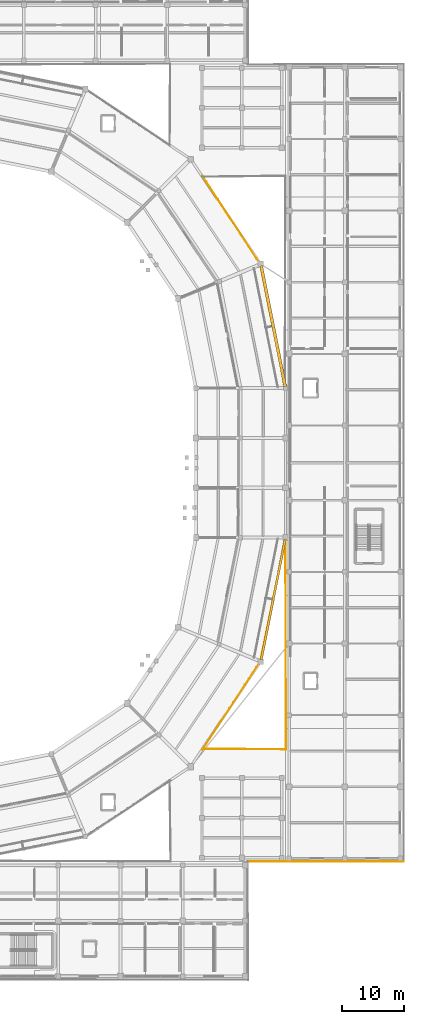
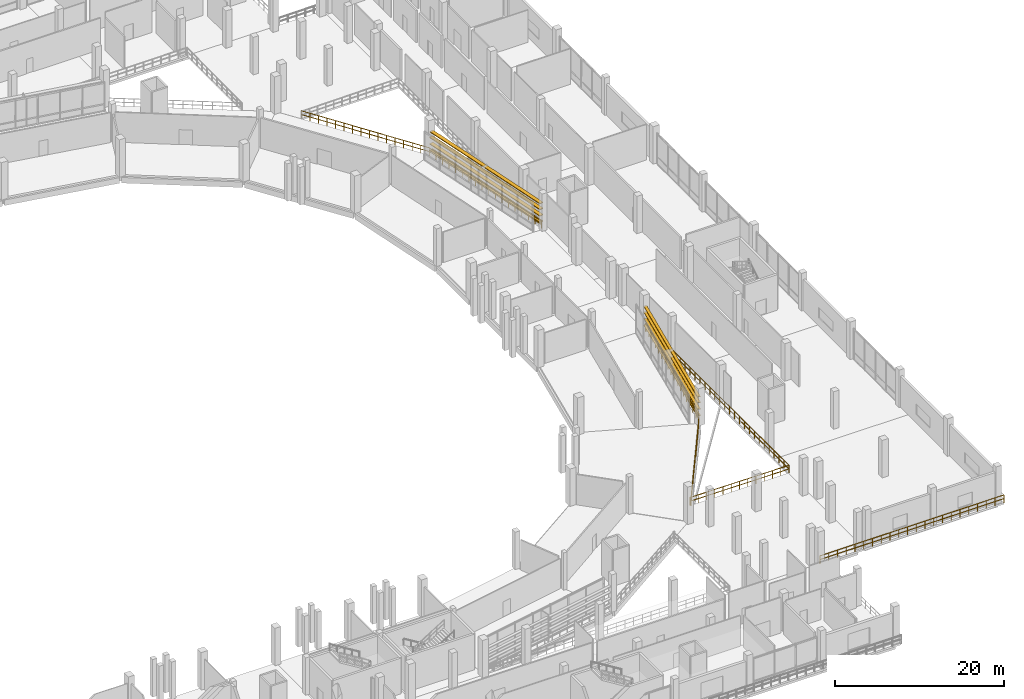
# One storey, part 105 of 114: 8 shading devices, 7 railings.
"""IFC4 building model written with IfcOpenShell, lengths in metres."""

from ifc_helpers import new_model, si_unit, direction, frame, origin, origin_2d, place, context, subcontext, project, spatial, rectangle, circle, extrude, material, layer, layer_set, type_object, element, save


model = new_model("IFC4")

# Units and contexts
model_context = context("Model", 3, precision=1e-05, world=origin(), true_north=direction((0.0, 1.0)))
body_context = subcontext(model_context, "Body", "Model", "MODEL_VIEW")
ifc_project = project(units=[si_unit("LENGTHUNIT", "METRE"), si_unit("AREAUNIT", "SQUARE_METRE"), si_unit("VOLUMEUNIT", "CUBIC_METRE"), si_unit("PLANEANGLEUNIT", "RADIAN"), si_unit("MASSUNIT", "GRAM", prefix="KILO")], contexts=[model_context])

# Site, building, storey
site_placement = place(None, origin())
site = spatial("IfcSite", under=ifc_project, at=site_placement, CompositionType="ELEMENT")
building_placement = place(site_placement, origin())
building = spatial("IfcBuilding", under=site, at=building_placement, Name="Candeia Ridge Stadium", CompositionType="ELEMENT")
storey_placement = place(building_placement, frame((0.0, 0.0, 5.39990234375)))
storey = spatial("IfcBuildingStorey", under=building, at=storey_placement, Name="L01", CompositionType="ELEMENT", Elevation=5.39990234375)

# Railings
ifc_material_1 = material(Name="Galvanized Powder-Coated Steel", Category="steel")
ifc_layer = layer(ifc_material_1, 0.074951171875, Name="Galvanized Powder-Coated Steel", Category="steel")
ifc_layer_set = layer_set([ifc_layer], Name="Galvanized Powder-Coated Steel")
railing_type = type_object("IfcRailingType", Name="Spectator Bowl Front Guardrail 1120", PredefinedType="GUARDRAIL", material=ifc_layer_set)
railing_1_placement = place(storey_placement, frame((212.0, 19.0, 0.0)))
element("IfcRailing", 1, at=railing_1_placement, inside=storey, type_object=railing_type, Name="Deck edge safety guardrail GR-DE-L01-0012", PredefinedType="GUARDRAIL", context=body_context, shape_type="SweptSolid", body=[
    extrude(circle(Radius=0.02392578125, at=origin_2d()), frame((0.0, 0.0, 1.09619140625), z_axis=(-1.0, 0.0, 0.0), x_axis=(0.0, -1.0, 0.0)), (0.0, 0.0, 1.0), 25.080078125),
    extrude(circle(Radius=0.02392578125, at=origin_2d()), frame((0.0, 0.0, 0.56005859375), z_axis=(-1.0, 0.0, 0.0), x_axis=(0.0, -1.0, 0.0)), (0.0, 0.0, 1.0), 25.080078125),
    extrude(circle(Radius=0.02099609375, at=origin_2d()), origin(), (0.0, 0.0, 1.0), 1.072021484375),
    extrude(circle(Radius=0.02099609375, at=origin_2d()), frame((-1.1943359375, 0.0, 0.0)), (0.0, 0.0, 1.0), 1.072021484375),
    extrude(circle(Radius=0.02099609375, at=origin_2d()), frame((-2.388671875, 0.0, 0.0)), (0.0, 0.0, 1.0), 1.072021484375),
    extrude(circle(Radius=0.02099609375, at=origin_2d()), frame((-3.582763671875, 0.0, 0.0)), (0.0, 0.0, 1.0), 1.072021484375),
    extrude(circle(Radius=0.02099609375, at=origin_2d()), frame((-4.777099609375, 0.0, 0.0)), (0.0, 0.0, 1.0), 1.072021484375),
    extrude(circle(Radius=0.02099609375, at=origin_2d()), frame((-5.971435546875, 0.0, 0.0)), (0.0, 0.0, 1.0), 1.072021484375),
    extrude(circle(Radius=0.02099609375, at=origin_2d()), frame((-7.165771484375, 0.0, 0.0)), (0.0, 0.0, 1.0), 1.072021484375),
    extrude(circle(Radius=0.02099609375, at=origin_2d()), frame((-8.360107421875, 0.0, 0.0)), (0.0, 0.0, 1.0), 1.072021484375),
    extrude(circle(Radius=0.02099609375, at=origin_2d()), frame((-9.55419921875, 0.0, 0.0)), (0.0, 0.0, 1.0), 1.072021484375),
    extrude(circle(Radius=0.02099609375, at=origin_2d()), frame((-10.74853515625, 0.0, 0.0)), (0.0, 0.0, 1.0), 1.072021484375),
    extrude(circle(Radius=0.02099609375, at=origin_2d()), frame((-11.94287109375, 0.0, 0.0)), (0.0, 0.0, 1.0), 1.072021484375),
    extrude(circle(Radius=0.02099609375, at=origin_2d()), frame((-13.13720703125, 0.0, 0.0)), (0.0, 0.0, 1.0), 1.072021484375),
    extrude(circle(Radius=0.02099609375, at=origin_2d()), frame((-14.33154296875, 0.0, 0.0)), (0.0, 0.0, 1.0), 1.072021484375),
    extrude(circle(Radius=0.02099609375, at=origin_2d()), frame((-15.52587890625, 0.0, 0.0)), (0.0, 0.0, 1.0), 1.072021484375),
    extrude(circle(Radius=0.02099609375, at=origin_2d()), frame((-16.719970703125, 0.0, 0.0)), (0.0, 0.0, 1.0), 1.072021484375),
    extrude(circle(Radius=0.02099609375, at=origin_2d()), frame((-17.914306640625, 0.0, 0.0)), (0.0, 0.0, 1.0), 1.072021484375),
    extrude(circle(Radius=0.02099609375, at=origin_2d()), frame((-19.108642578125, 0.0, 0.0)), (0.0, 0.0, 1.0), 1.072021484375),
    extrude(circle(Radius=0.02099609375, at=origin_2d()), frame((-20.302978515625, 0.0, 0.0)), (0.0, 0.0, 1.0), 1.072021484375),
    extrude(circle(Radius=0.02099609375, at=origin_2d()), frame((-21.497314453125, 0.0, 0.0)), (0.0, 0.0, 1.0), 1.072021484375),
    extrude(circle(Radius=0.02099609375, at=origin_2d()), frame((-22.69140625, 0.0, 0.0)), (0.0, 0.0, 1.0), 1.072021484375),
    extrude(circle(Radius=0.02099609375, at=origin_2d()), frame((-23.8857421875, 0.0, 0.0)), (0.0, 0.0, 1.0), 1.072021484375),
    extrude(circle(Radius=0.02099609375, at=origin_2d()), frame((-25.080078125, 0.0, 0.0)), (0.0, 0.0, 1.0), 1.072021484375),
])
railing_2_placement = place(storey_placement, frame((179.686767578125, 129.04443359375, 0.0)))
element("IfcRailing", 2, at=railing_2_placement, inside=storey, type_object=railing_type, Name="Deck edge safety guardrail GR-DE-L01-0019", PredefinedType="GUARDRAIL", context=body_context, shape_type="SweptSolid", body=[
    extrude(circle(Radius=0.02392578125, at=origin_2d()), frame((0.0, 0.0, 1.09619140625), z_axis=(0.547972672169, -0.836496234634, 0.0), x_axis=(0.836496234634, 0.547972672169, 0.0)), (0.0, 0.0, 1.0), 16.928466796875),
    extrude(circle(Radius=0.02392578125, at=origin_2d()), frame((0.0, 0.0, 0.56005859375), z_axis=(0.547972672169, -0.836496234634, 0.0), x_axis=(0.836496234634, 0.547972672169, 0.0)), (0.0, 0.0, 1.0), 16.928466796875),
    extrude(circle(Radius=0.02099609375, at=origin_2d()), origin(), (0.0, 0.0, 1.0), 1.072021484375),
    extrude(circle(Radius=0.02099609375, at=origin_2d()), frame((0.618408203125, -0.944091796875, 0.0)), (0.0, 0.0, 1.0), 1.072021484375),
    extrude(circle(Radius=0.02099609375, at=origin_2d()), frame((1.23681640625, -1.88818359375, 0.0)), (0.0, 0.0, 1.0), 1.072021484375),
    extrude(circle(Radius=0.02099609375, at=origin_2d()), frame((1.855224609375, -2.83203125, 0.0)), (0.0, 0.0, 1.0), 1.072021484375),
    extrude(circle(Radius=0.02099609375, at=origin_2d()), frame((2.4736328125, -3.776123046875, 0.0)), (0.0, 0.0, 1.0), 1.072021484375),
    extrude(circle(Radius=0.02099609375, at=origin_2d()), frame((3.092041015625, -4.72021484375, 0.0)), (0.0, 0.0, 1.0), 1.072021484375),
    extrude(circle(Radius=0.02099609375, at=origin_2d()), frame((3.71044921875, -5.664306640625, 0.0)), (0.0, 0.0, 1.0), 1.072021484375),
    extrude(circle(Radius=0.02099609375, at=origin_2d()), frame((4.328857421875, -6.6083984375, 0.0)), (0.0, 0.0, 1.0), 1.072021484375),
    extrude(circle(Radius=0.02099609375, at=origin_2d()), frame((4.947509765625, -7.55224609375, 0.0)), (0.0, 0.0, 1.0), 1.072021484375),
    extrude(circle(Radius=0.02099609375, at=origin_2d()), frame((5.56591796875, -8.496337890625, 0.0)), (0.0, 0.0, 1.0), 1.072021484375),
    extrude(circle(Radius=0.02099609375, at=origin_2d()), frame((6.184326171875, -9.4404296875, 0.0)), (0.0, 0.0, 1.0), 1.072021484375),
    extrude(circle(Radius=0.02099609375, at=origin_2d()), frame((6.802734375, -10.384521484375, 0.0)), (0.0, 0.0, 1.0), 1.072021484375),
    extrude(circle(Radius=0.02099609375, at=origin_2d()), frame((7.421142578125, -11.32861328125, 0.0)), (0.0, 0.0, 1.0), 1.072021484375),
    extrude(circle(Radius=0.02099609375, at=origin_2d()), frame((8.03955078125, -12.2724609375, 0.0)), (0.0, 0.0, 1.0), 1.072021484375),
    extrude(circle(Radius=0.02099609375, at=origin_2d()), frame((8.657958984375, -13.216552734375, 0.0)), (0.0, 0.0, 1.0), 1.072021484375),
    extrude(circle(Radius=0.02099609375, at=origin_2d()), frame((9.2763671875, -14.16064453125, 0.0)), (0.0, 0.0, 1.0), 1.072021484375),
])
railing_3_placement = place(storey_placement, frame((188.963134765625, 114.8837890625, 0.0)))
element("IfcRailing", 3, at=railing_3_placement, inside=storey, type_object=railing_type, Name="Deck edge safety guardrail GR-DE-L01-0020", PredefinedType="GUARDRAIL", context=body_context, shape_type="SweptSolid", body=[
    extrude(circle(Radius=0.02392578125, at=origin_2d()), frame((0.0, 0.0, 1.09619140625), z_axis=(0.198632089417, -0.980074126306, 0.0), x_axis=(0.980074126306, 0.198632089417, 0.0)), (0.0, 0.0, 1.0), 20.055419921875),
    extrude(circle(Radius=0.02392578125, at=origin_2d()), frame((0.0, 0.0, 0.56005859375), z_axis=(0.198632089417, -0.980074126306, 0.0), x_axis=(0.980074126306, 0.198632089417, 0.0)), (0.0, 0.0, 1.0), 20.055419921875),
    extrude(circle(Radius=0.02099609375, at=origin_2d()), origin(), (0.0, 0.0, 1.0), 1.072021484375),
    extrude(circle(Radius=0.02099609375, at=origin_2d()), frame((0.234375, -1.15625, 0.0)), (0.0, 0.0, 1.0), 1.072021484375),
    extrude(circle(Radius=0.02099609375, at=origin_2d()), frame((0.46875, -2.3125, 0.0)), (0.0, 0.0, 1.0), 1.072021484375),
    extrude(circle(Radius=0.02099609375, at=origin_2d()), frame((0.702880859375, -3.46875, 0.0)), (0.0, 0.0, 1.0), 1.072021484375),
    extrude(circle(Radius=0.02099609375, at=origin_2d()), frame((0.937255859375, -4.625, 0.0)), (0.0, 0.0, 1.0), 1.072021484375),
    extrude(circle(Radius=0.02099609375, at=origin_2d()), frame((1.171630859375, -5.781005859375, 0.0)), (0.0, 0.0, 1.0), 1.072021484375),
    extrude(circle(Radius=0.02099609375, at=origin_2d()), frame((1.406005859375, -6.937255859375, 0.0)), (0.0, 0.0, 1.0), 1.072021484375),
    extrude(circle(Radius=0.02099609375, at=origin_2d()), frame((1.640380859375, -8.093505859375, 0.0)), (0.0, 0.0, 1.0), 1.072021484375),
    extrude(circle(Radius=0.02099609375, at=origin_2d()), frame((1.874755859375, -9.249755859375, 0.0)), (0.0, 0.0, 1.0), 1.072021484375),
    extrude(circle(Radius=0.02099609375, at=origin_2d()), frame((2.10888671875, -10.406005859375, 0.0)), (0.0, 0.0, 1.0), 1.072021484375),
    extrude(circle(Radius=0.02099609375, at=origin_2d()), frame((2.34326171875, -11.562255859375, 0.0)), (0.0, 0.0, 1.0), 1.072021484375),
    extrude(circle(Radius=0.02099609375, at=origin_2d()), frame((2.57763671875, -12.718505859375, 0.0)), (0.0, 0.0, 1.0), 1.072021484375),
    extrude(circle(Radius=0.02099609375, at=origin_2d()), frame((2.81201171875, -13.874755859375, 0.0)), (0.0, 0.0, 1.0), 1.072021484375),
    extrude(circle(Radius=0.02099609375, at=origin_2d()), frame((3.04638671875, -15.03076171875, 0.0)), (0.0, 0.0, 1.0), 1.072021484375),
    extrude(circle(Radius=0.02099609375, at=origin_2d()), frame((3.28076171875, -16.18701171875, 0.0)), (0.0, 0.0, 1.0), 1.072021484375),
    extrude(circle(Radius=0.02099609375, at=origin_2d()), frame((3.514892578125, -17.34326171875, 0.0)), (0.0, 0.0, 1.0), 1.072021484375),
    extrude(circle(Radius=0.02099609375, at=origin_2d()), frame((3.749267578125, -18.49951171875, 0.0)), (0.0, 0.0, 1.0), 1.072021484375),
    extrude(circle(Radius=0.02099609375, at=origin_2d()), frame((3.983642578125, -19.65576171875, 0.0)), (0.0, 0.0, 1.0), 1.072021484375),
])
railing_4_placement = place(storey_placement, frame((179.6201171875, 37.080078125, 0.0)))
element("IfcRailing", 4, at=railing_4_placement, inside=storey, type_object=railing_type, Name="Deck edge safety guardrail GR-DE-L01-0023", PredefinedType="GUARDRAIL", context=body_context, shape_type="SweptSolid", body=[
    extrude(circle(Radius=0.02392578125, at=origin_2d()), frame((0.0, 0.0, 1.09619140625), z_axis=(0.99998230304, -0.005949252619, 0.0), x_axis=(0.005949252619, 0.99998230304, 0.0)), (0.0, 0.0, 1.0), 13.460205078125),
    extrude(circle(Radius=0.02392578125, at=origin_2d()), frame((0.0, 0.0, 0.56005859375), z_axis=(0.99998230304, -0.005949252619, 0.0), x_axis=(0.005949252619, 0.99998230304, 0.0)), (0.0, 0.0, 1.0), 13.460205078125),
    extrude(circle(Radius=0.02099609375, at=origin_2d()), origin(), (0.0, 0.0, 1.0), 1.072021484375),
    extrude(circle(Radius=0.02099609375, at=origin_2d()), frame((1.12158203125, -0.006591796875, 0.0)), (0.0, 0.0, 1.0), 1.072021484375),
    extrude(circle(Radius=0.02099609375, at=origin_2d()), frame((2.243408203125, -0.013427734375, 0.0)), (0.0, 0.0, 1.0), 1.072021484375),
    extrude(circle(Radius=0.02099609375, at=origin_2d()), frame((3.364990234375, -0.02001953125, 0.0)), (0.0, 0.0, 1.0), 1.072021484375),
    extrude(circle(Radius=0.02099609375, at=origin_2d()), frame((4.486572265625, -0.026611328125, 0.0)), (0.0, 0.0, 1.0), 1.072021484375),
    extrude(circle(Radius=0.02099609375, at=origin_2d()), frame((5.6083984375, -0.033447265625, 0.0)), (0.0, 0.0, 1.0), 1.072021484375),
    extrude(circle(Radius=0.02099609375, at=origin_2d()), frame((6.72998046875, -0.0400390625, 0.0)), (0.0, 0.0, 1.0), 1.072021484375),
    extrude(circle(Radius=0.02099609375, at=origin_2d()), frame((7.8515625, -0.046630859375, 0.0)), (0.0, 0.0, 1.0), 1.072021484375),
    extrude(circle(Radius=0.02099609375, at=origin_2d()), frame((8.973388671875, -0.053466796875, 0.0)), (0.0, 0.0, 1.0), 1.072021484375),
    extrude(circle(Radius=0.02099609375, at=origin_2d()), frame((10.094970703125, -0.06005859375, 0.0)), (0.0, 0.0, 1.0), 1.072021484375),
    extrude(circle(Radius=0.02099609375, at=origin_2d()), frame((11.216552734375, -0.066650390625, 0.0)), (0.0, 0.0, 1.0), 1.072021484375),
    extrude(circle(Radius=0.02099609375, at=origin_2d()), frame((12.33837890625, -0.073486328125, 0.0)), (0.0, 0.0, 1.0), 1.072021484375),
    extrude(circle(Radius=0.02099609375, at=origin_2d()), frame((13.4599609375, -0.080078125, 0.0)), (0.0, 0.0, 1.0), 1.072021484375),
])
railing_5_placement = place(storey_placement, frame((193.080078125, 37.0, 0.0)))
element("IfcRailing", 5, at=railing_5_placement, inside=storey, type_object=railing_type, Name="Deck edge safety guardrail GR-DE-L01-0024", PredefinedType="GUARDRAIL", context=body_context, shape_type="SweptSolid", body=[
    extrude(circle(Radius=0.02392578125, at=origin_2d()), frame((0.0, 0.0, 1.09619140625), z_axis=(-0.002140177014, 0.999997709819, 0.0), x_axis=(-0.999997709819, -0.002140177014, 0.0)), (0.0, 0.0, 1.0), 33.76611328125),
    extrude(circle(Radius=0.02392578125, at=origin_2d()), frame((0.0, 0.0, 0.56005859375), z_axis=(-0.002140177014, 0.999997709819, 0.0), x_axis=(-0.999997709819, -0.002140177014, 0.0)), (0.0, 0.0, 1.0), 33.76611328125),
    extrude(circle(Radius=0.02099609375, at=origin_2d()), origin(), (0.0, 0.0, 1.0), 1.072021484375),
    extrude(circle(Radius=0.02099609375, at=origin_2d()), frame((-0.00244140625, 1.164306640625, 0.0)), (0.0, 0.0, 1.0), 1.072021484375),
    extrude(circle(Radius=0.02099609375, at=origin_2d()), frame((-0.0048828125, 2.32861328125, 0.0)), (0.0, 0.0, 1.0), 1.072021484375),
    extrude(circle(Radius=0.02099609375, at=origin_2d()), frame((-0.007568359375, 3.4931640625, 0.0)), (0.0, 0.0, 1.0), 1.072021484375),
    extrude(circle(Radius=0.02099609375, at=origin_2d()), frame((-0.010009765625, 4.657470703125, 0.0)), (0.0, 0.0, 1.0), 1.072021484375),
    extrude(circle(Radius=0.02099609375, at=origin_2d()), frame((-0.012451171875, 5.82177734375, 0.0)), (0.0, 0.0, 1.0), 1.072021484375),
    extrude(circle(Radius=0.02099609375, at=origin_2d()), frame((-0.014892578125, 6.986083984375, 0.0)), (0.0, 0.0, 1.0), 1.072021484375),
    extrude(circle(Radius=0.02099609375, at=origin_2d()), frame((-0.017333984375, 8.150390625, 0.0)), (0.0, 0.0, 1.0), 1.072021484375),
    extrude(circle(Radius=0.02099609375, at=origin_2d()), frame((-0.02001953125, 9.314697265625, 0.0)), (0.0, 0.0, 1.0), 1.072021484375),
    extrude(circle(Radius=0.02099609375, at=origin_2d()), frame((-0.0224609375, 10.479248046875, 0.0)), (0.0, 0.0, 1.0), 1.072021484375),
    extrude(circle(Radius=0.02099609375, at=origin_2d()), frame((-0.02490234375, 11.6435546875, 0.0)), (0.0, 0.0, 1.0), 1.072021484375),
    extrude(circle(Radius=0.02099609375, at=origin_2d()), frame((-0.02734375, 12.807861328125, 0.0)), (0.0, 0.0, 1.0), 1.072021484375),
    extrude(circle(Radius=0.02099609375, at=origin_2d()), frame((-0.02978515625, 13.97216796875, 0.0)), (0.0, 0.0, 1.0), 1.072021484375),
    extrude(circle(Radius=0.02099609375, at=origin_2d()), frame((-0.032470703125, 15.136474609375, 0.0)), (0.0, 0.0, 1.0), 1.072021484375),
    extrude(circle(Radius=0.02099609375, at=origin_2d()), frame((-0.034912109375, 16.30078125, 0.0)), (0.0, 0.0, 1.0), 1.072021484375),
    extrude(circle(Radius=0.02099609375, at=origin_2d()), frame((-0.037353515625, 17.46533203125, 0.0)), (0.0, 0.0, 1.0), 1.072021484375),
    extrude(circle(Radius=0.02099609375, at=origin_2d()), frame((-0.039794921875, 18.629638671875, 0.0)), (0.0, 0.0, 1.0), 1.072021484375),
    extrude(circle(Radius=0.02099609375, at=origin_2d()), frame((-0.04248046875, 19.7939453125, 0.0)), (0.0, 0.0, 1.0), 1.072021484375),
    extrude(circle(Radius=0.02099609375, at=origin_2d()), frame((-0.044921875, 20.958251953125, 0.0)), (0.0, 0.0, 1.0), 1.072021484375),
    extrude(circle(Radius=0.02099609375, at=origin_2d()), frame((-0.04736328125, 22.12255859375, 0.0)), (0.0, 0.0, 1.0), 1.072021484375),
    extrude(circle(Radius=0.02099609375, at=origin_2d()), frame((-0.0498046875, 23.286865234375, 0.0)), (0.0, 0.0, 1.0), 1.072021484375),
    extrude(circle(Radius=0.02099609375, at=origin_2d()), frame((-0.05224609375, 24.451416015625, 0.0)), (0.0, 0.0, 1.0), 1.072021484375),
    extrude(circle(Radius=0.02099609375, at=origin_2d()), frame((-0.054931640625, 25.61572265625, 0.0)), (0.0, 0.0, 1.0), 1.072021484375),
    extrude(circle(Radius=0.02099609375, at=origin_2d()), frame((-0.057373046875, 26.780029296875, 0.0)), (0.0, 0.0, 1.0), 1.072021484375),
    extrude(circle(Radius=0.02099609375, at=origin_2d()), frame((-0.059814453125, 27.9443359375, 0.0)), (0.0, 0.0, 1.0), 1.072021484375),
    extrude(circle(Radius=0.02099609375, at=origin_2d()), frame((-0.062255859375, 29.108642578125, 0.0)), (0.0, 0.0, 1.0), 1.072021484375),
    extrude(circle(Radius=0.02099609375, at=origin_2d()), frame((-0.064697265625, 30.27294921875, 0.0)), (0.0, 0.0, 1.0), 1.072021484375),
    extrude(circle(Radius=0.02099609375, at=origin_2d()), frame((-0.0673828125, 31.4375, 0.0)), (0.0, 0.0, 1.0), 1.072021484375),
    extrude(circle(Radius=0.02099609375, at=origin_2d()), frame((-0.06982421875, 32.601806640625, 0.0)), (0.0, 0.0, 1.0), 1.072021484375),
    extrude(circle(Radius=0.02099609375, at=origin_2d()), frame((-0.072265625, 33.76611328125, 0.0)), (0.0, 0.0, 1.0), 1.072021484375),
])
railing_6_placement = place(storey_placement, frame((193.017333984375, 70.6767578125, 0.0)))
element("IfcRailing", 6, at=railing_6_placement, inside=storey, type_object=railing_type, Name="Deck edge safety guardrail GR-DE-L01-0025", PredefinedType="GUARDRAIL", context=body_context, shape_type="SweptSolid", body=[
    extrude(circle(Radius=0.02392578125, at=origin_2d()), frame((0.0, 0.0, 1.09619140625), z_axis=(-0.202662673924, -0.97924861021, 0.0), x_axis=(0.97924861021, -0.202662673924, 0.0)), (0.0, 0.0, 1.0), 19.945556640625),
    extrude(circle(Radius=0.02392578125, at=origin_2d()), frame((0.0, 0.0, 0.56005859375), z_axis=(-0.202662673924, -0.97924861021, 0.0), x_axis=(0.97924861021, -0.202662673924, 0.0)), (0.0, 0.0, 1.0), 19.945556640625),
    extrude(circle(Radius=0.02099609375, at=origin_2d()), origin(), (0.0, 0.0, 1.0), 1.072021484375),
    extrude(circle(Radius=0.02099609375, at=origin_2d()), frame((-0.23779296875, -1.14892578125, 0.0)), (0.0, 0.0, 1.0), 1.072021484375),
    extrude(circle(Radius=0.02099609375, at=origin_2d()), frame((-0.4755859375, -2.2978515625, 0.0)), (0.0, 0.0, 1.0), 1.072021484375),
    extrude(circle(Radius=0.02099609375, at=origin_2d()), frame((-0.71337890625, -3.44677734375, 0.0)), (0.0, 0.0, 1.0), 1.072021484375),
    extrude(circle(Radius=0.02099609375, at=origin_2d()), frame((-0.951171875, -4.595703125, 0.0)), (0.0, 0.0, 1.0), 1.072021484375),
    extrude(circle(Radius=0.02099609375, at=origin_2d()), frame((-1.18896484375, -5.74462890625, 0.0)), (0.0, 0.0, 1.0), 1.072021484375),
    extrude(circle(Radius=0.02099609375, at=origin_2d()), frame((-1.4267578125, -6.8935546875, 0.0)), (0.0, 0.0, 1.0), 1.072021484375),
    extrude(circle(Radius=0.02099609375, at=origin_2d()), frame((-1.66455078125, -8.04248046875, 0.0)), (0.0, 0.0, 1.0), 1.072021484375),
    extrude(circle(Radius=0.02099609375, at=origin_2d()), frame((-1.90234375, -9.19140625, 0.0)), (0.0, 0.0, 1.0), 1.072021484375),
    extrude(circle(Radius=0.02099609375, at=origin_2d()), frame((-2.139892578125, -10.34033203125, 0.0)), (0.0, 0.0, 1.0), 1.072021484375),
    extrude(circle(Radius=0.02099609375, at=origin_2d()), frame((-2.377685546875, -11.4892578125, 0.0)), (0.0, 0.0, 1.0), 1.072021484375),
    extrude(circle(Radius=0.02099609375, at=origin_2d()), frame((-2.615478515625, -12.63818359375, 0.0)), (0.0, 0.0, 1.0), 1.072021484375),
    extrude(circle(Radius=0.02099609375, at=origin_2d()), frame((-2.853271484375, -13.787109375, 0.0)), (0.0, 0.0, 1.0), 1.072021484375),
    extrude(circle(Radius=0.02099609375, at=origin_2d()), frame((-3.091064453125, -14.93603515625, 0.0)), (0.0, 0.0, 1.0), 1.072021484375),
    extrude(circle(Radius=0.02099609375, at=origin_2d()), frame((-3.328857421875, -16.0849609375, 0.0)), (0.0, 0.0, 1.0), 1.072021484375),
    extrude(circle(Radius=0.02099609375, at=origin_2d()), frame((-3.566650390625, -17.23388671875, 0.0)), (0.0, 0.0, 1.0), 1.072021484375),
    extrude(circle(Radius=0.02099609375, at=origin_2d()), frame((-3.804443359375, -18.3828125, 0.0)), (0.0, 0.0, 1.0), 1.072021484375),
    extrude(circle(Radius=0.02099609375, at=origin_2d()), frame((-4.042236328125, -19.53173828125, 0.0)), (0.0, 0.0, 1.0), 1.072021484375),
])
railing_7_placement = place(storey_placement, frame((188.97509765625, 51.14501953125, 0.0)))
element("IfcRailing", 7, at=railing_7_placement, inside=storey, type_object=railing_type, Name="Deck edge safety guardrail GR-DE-L01-0026", PredefinedType="GUARDRAIL", context=body_context, shape_type="SweptSolid", body=[
    extrude(circle(Radius=0.02392578125, at=origin_2d()), frame((0.0, 0.0, 1.09619140625), z_axis=(-0.547697653631, -0.836676329417, 0.0), x_axis=(0.836676329417, -0.547697653631, 0.0)), (0.0, 0.0, 1.0), 16.959228515625),
    extrude(circle(Radius=0.02392578125, at=origin_2d()), frame((0.0, 0.0, 0.56005859375), z_axis=(-0.547697653631, -0.836676329417, 0.0), x_axis=(0.836676329417, -0.547697653631, 0.0)), (0.0, 0.0, 1.0), 16.959228515625),
    extrude(circle(Radius=0.02099609375, at=origin_2d()), origin(), (0.0, 0.0, 1.0), 1.072021484375),
    extrude(circle(Radius=0.02099609375, at=origin_2d()), frame((-0.619140625, -0.946044921875, 0.0)), (0.0, 0.0, 1.0), 1.072021484375),
    extrude(circle(Radius=0.02099609375, at=origin_2d()), frame((-1.238525390625, -1.891845703125, 0.0)), (0.0, 0.0, 1.0), 1.072021484375),
    extrude(circle(Radius=0.02099609375, at=origin_2d()), frame((-1.857666015625, -2.837890625, 0.0)), (0.0, 0.0, 1.0), 1.072021484375),
    extrude(circle(Radius=0.02099609375, at=origin_2d()), frame((-2.47705078125, -3.783935546875, 0.0)), (0.0, 0.0, 1.0), 1.072021484375),
    extrude(circle(Radius=0.02099609375, at=origin_2d()), frame((-3.09619140625, -4.729736328125, 0.0)), (0.0, 0.0, 1.0), 1.072021484375),
    extrude(circle(Radius=0.02099609375, at=origin_2d()), frame((-3.71533203125, -5.67578125, 0.0)), (0.0, 0.0, 1.0), 1.072021484375),
    extrude(circle(Radius=0.02099609375, at=origin_2d()), frame((-4.334716796875, -6.621826171875, 0.0)), (0.0, 0.0, 1.0), 1.072021484375),
    extrude(circle(Radius=0.02099609375, at=origin_2d()), frame((-4.953857421875, -7.567626953125, 0.0)), (0.0, 0.0, 1.0), 1.072021484375),
    extrude(circle(Radius=0.02099609375, at=origin_2d()), frame((-5.5732421875, -8.513671875, 0.0)), (0.0, 0.0, 1.0), 1.072021484375),
    extrude(circle(Radius=0.02099609375, at=origin_2d()), frame((-6.1923828125, -9.459716796875, 0.0)), (0.0, 0.0, 1.0), 1.072021484375),
    extrude(circle(Radius=0.02099609375, at=origin_2d()), frame((-6.8115234375, -10.405517578125, 0.0)), (0.0, 0.0, 1.0), 1.072021484375),
    extrude(circle(Radius=0.02099609375, at=origin_2d()), frame((-7.430908203125, -11.3515625, 0.0)), (0.0, 0.0, 1.0), 1.072021484375),
    extrude(circle(Radius=0.02099609375, at=origin_2d()), frame((-8.050048828125, -12.297607421875, 0.0)), (0.0, 0.0, 1.0), 1.072021484375),
    extrude(circle(Radius=0.02099609375, at=origin_2d()), frame((-8.66943359375, -13.243408203125, 0.0)), (0.0, 0.0, 1.0), 1.072021484375),
    extrude(circle(Radius=0.02099609375, at=origin_2d()), frame((-9.28857421875, -14.189453125, 0.0)), (0.0, 0.0, 1.0), 1.072021484375),
])

# Shading devices
ifc_material_2 = material(Name="Aluminium Anodized Warm Bronze", Category="aluminium")
shading_device_type_1 = type_object("IfcShadingDeviceType", Name="Weathered Bronze Horizontal Solar Rib 380x85", PredefinedType="JALOUSIE", material=ifc_material_2)
for number, where, z_axis, x_axis, name in (
    (8, (191.020751953125, 61.05029296875, 0.8916015625), (0.0, 0.0, 1.0), (0.195090311899, 0.980785282416, 0.0), "Weathered bronze horizontal solar rib L01 bay 29-1"),
    (9, (191.020751953125, 61.05029296875, 1.825439453125), (0.0, 0.0, 1.0), (0.195090311899, 0.980785282416, 0.0), "Weathered bronze horizontal solar rib L01 bay 29-2"),
    (10, (191.020751953125, 61.05029296875, 2.75927734375), (0.0, 0.0, 1.0), (0.195090311899, 0.980785282416, 0.0), "Weathered bronze horizontal solar rib L01 bay 29-3"),
    (11, (191.020751953125, 61.05029296875, 3.6083984375), (0.0, 0.0, 1.0), (0.195090311899, 0.980785282416, 0.0), "Weathered bronze horizontal solar rib L01 bay 29-4"),
):
    element("IfcShadingDevice", number, at=place(storey_placement, frame(where, z_axis=z_axis, x_axis=x_axis)), inside=storey, type_object=shading_device_type_1, Name=name, PredefinedType="JALOUSIE", context=body_context, shape_type="SweptSolid", body=[
        extrude(rectangle(XDim=19.789306640625, YDim=0.3798828125, at=origin_2d()), origin(), (0.0, 0.0, 1.0), 0.0849609375),
    ])
shading_device_type_2 = type_object("IfcShadingDeviceType", Name="Weathered Bronze Horizontal Solar Rib 500x105", PredefinedType="JALOUSIE", material=ifc_material_2)
for number, where, z_axis, x_axis, name in (
    (12, (191.020751953125, 104.94970703125, 0.872802734375), (0.0, 0.0, 1.0), (-0.195090311899, 0.980785282416, 0.0), "Weathered bronze horizontal solar rib L01 bay 33-1"),
    (13, (191.020751953125, 104.94970703125, 1.7978515625), (0.0, 0.0, 1.0), (-0.195090311899, 0.980785282416, 0.0), "Weathered bronze horizontal solar rib L01 bay 33-2"),
    (14, (191.020751953125, 104.94970703125, 2.722900390625), (0.0, 0.0, 1.0), (-0.195090311899, 0.980785282416, 0.0), "Weathered bronze horizontal solar rib L01 bay 33-3"),
    (15, (191.020751953125, 104.94970703125, 3.56396484375), (0.0, 0.0, 1.0), (-0.195090311899, 0.980785282416, 0.0), "Weathered bronze horizontal solar rib L01 bay 33-4"),
):
    element("IfcShadingDevice", number, at=place(storey_placement, frame(where, z_axis=z_axis, x_axis=x_axis)), inside=storey, type_object=shading_device_type_2, Name=name, PredefinedType="JALOUSIE", context=body_context, shape_type="SweptSolid", body=[
        extrude(rectangle(XDim=19.789306640625, YDim=0.5, at=origin_2d()), origin(), (0.0, 0.0, 1.0), 0.10498046875),
    ])

save(model, "model.ifc")
